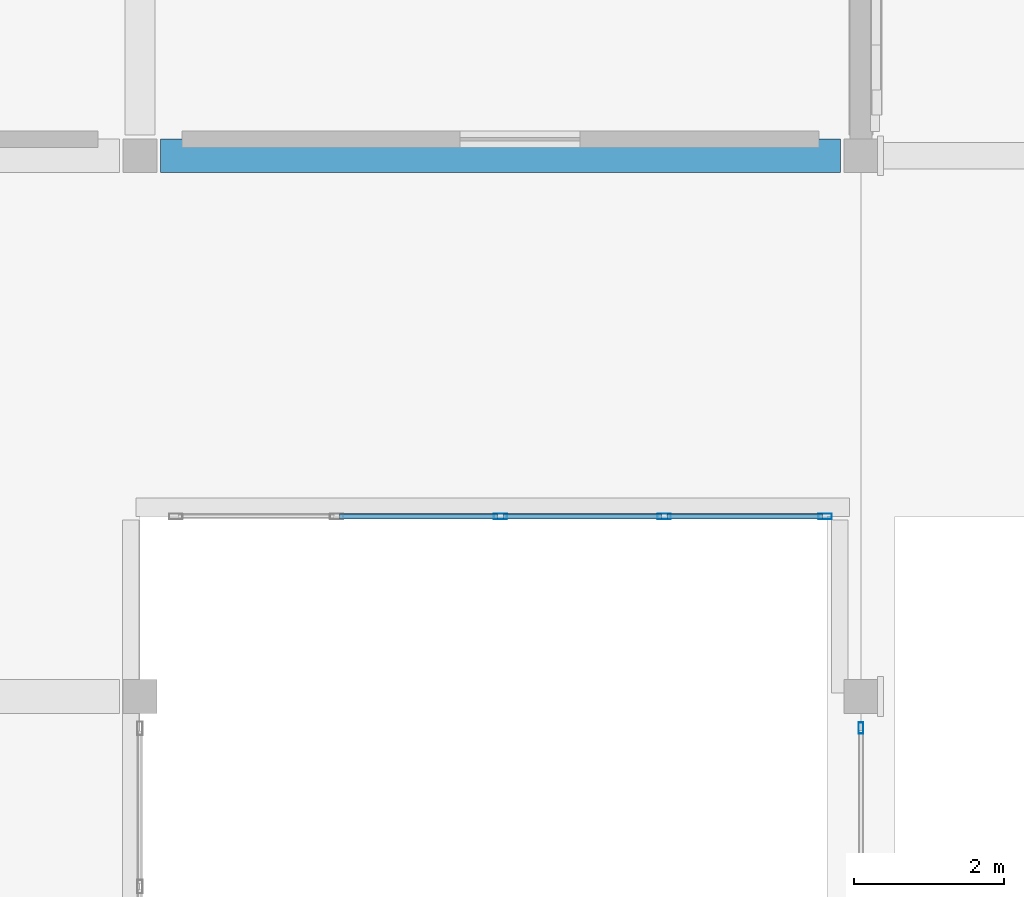
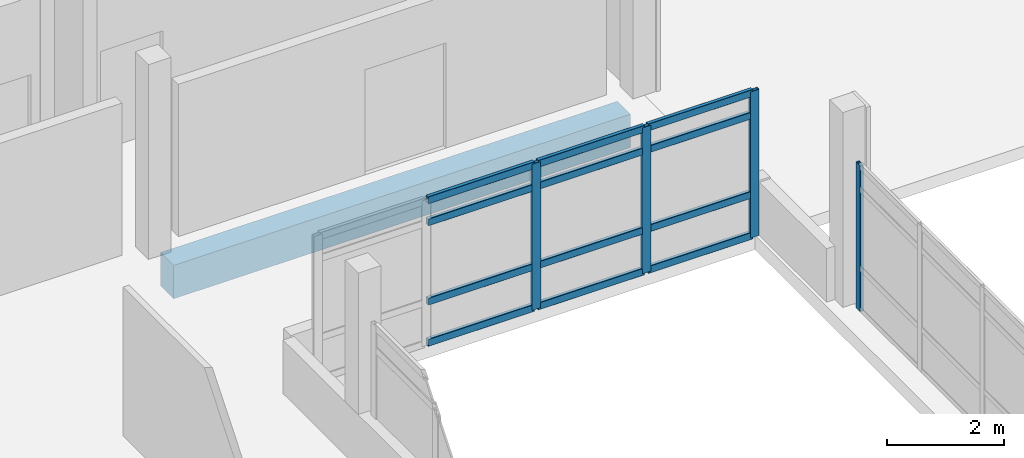
# One storey, part 25 of 50: 16 members, 1 beam, 2 elements without a shape of their own.
"""IFC4 building model written with IfcOpenShell, lengths in metres."""

from ifc_helpers import new_model, si_unit, direction, frame, origin, origin_2d, place, context, subcontext, project, spatial, rectangle, hollow_rectangle, extrude, material, layer, layer_set, material_profile, profile_set, type_object, element, aggregate, save


model = new_model("IFC4")

# Units and contexts
model_context = context("Model", 3, precision=1e-05, world=origin(), true_north=direction((0.0, 1.0)))
body_context = subcontext(model_context, "Body", "Model", "MODEL_VIEW")
ifc_project = project(units=[si_unit("LENGTHUNIT", "METRE"), si_unit("AREAUNIT", "SQUARE_METRE"), si_unit("VOLUMEUNIT", "CUBIC_METRE"), si_unit("PLANEANGLEUNIT", "RADIAN"), si_unit("MASSUNIT", "GRAM", prefix="KILO")], contexts=[model_context])

# Site, building, storey
site_placement = place(None, origin())
site = spatial("IfcSite", under=ifc_project, at=site_placement, CompositionType="ELEMENT")
building_placement = place(site_placement, origin())
building = spatial("IfcBuilding", under=site, at=building_placement, Name="Asteropetra Specialist Clinic", CompositionType="ELEMENT")
storey_placement = place(building_placement, frame((0.0, 0.0, 16.659912109375)))
storey = spatial("IfcBuildingStorey", under=building, at=storey_placement, Name="L04", CompositionType="ELEMENT", Elevation=16.659912109375)

# Beam
ifc_material_1 = material(Name="Concrete C35/45", Category="concrete")
ifc_material_profile_1 = material_profile(ifc_material_1, rectangle(XDim=0.449951171875, YDim=0.699951171875, at=origin_2d()), Name="RCB 450x700")
ifc_profile_set_1 = profile_set([ifc_material_profile_1], Name="Concrete C35/45")
beam_type = type_object("IfcBeamType", Name="BM-RC450x700", PredefinedType="BEAM", material=ifc_profile_set_1)
beam_placement = place(storey_placement, frame((125.074951171875, 40.800048828125, -0.64990234375), z_axis=(1.0, 0.0, 0.0), x_axis=(0.0, 1.0, 0.0)))
element("IfcBeam", 1, at=beam_placement, inside=storey, type_object=beam_type, Name="Beam BBM05-1721", PredefinedType="BEAM", context=body_context, shape_type="SweptSolid", body=[
    extrude(rectangle(XDim=0.449951171875, YDim=0.699951171875, at=origin_2d()), origin(), (0.0, 0.0, 1.0), 9.050048828125),
])

# Curtain wall, member
ifc_material_2 = material(Name="Aluminium and low-E glass", Category="aluminium")
ifc_layer_1 = layer(ifc_material_2, 0.135009765625)
ifc_layer_set_1 = layer_set([ifc_layer_1], Name="Aluminium and low-E glass")
curtain_wall_type_1 = type_object("IfcCurtainWallType", Name="CW-SYS-12", PredefinedType="USERDEFINED", material=ifc_layer_set_1)
curtain_wall_1_placement = place(storey_placement, origin())
curtain_wall_1 = element("IfcCurtainWall", 2, at=curtain_wall_1_placement, inside=storey, type_object=curtain_wall_type_1, Name="Curtain Wall CW-094", ObjectType="STICK GLAZED COLONNADE", PredefinedType="USERDEFINED")
ifc_material_3 = material(Name="Aluminium 6063-T6", Category="aluminium")
ifc_material_profile_2 = material_profile(ifc_material_3, hollow_rectangle(XDim=0.06494140625, YDim=0.14990234375, WallThickness=0.00390625, InnerFilletRadius=0.00390625, OuterFilletRadius=0.008056640625, at=origin_2d()), Name="MUL 150x65x4.0")
ifc_profile_set_2 = profile_set([ifc_material_profile_2], Name="Aluminium 6063-T6")
member_type_1 = type_object("IfcMemberType", Name="CWM-150x65", PredefinedType="MULLION", material=ifc_profile_set_2)
member_1_placement = place(storey_placement, frame((134.39990234375, 33.1826171875, 0.0), z_axis=(0.0, 0.0, 1.0), x_axis=(-1.0, 0.0, 0.0)))
member_1 = element("IfcMember", 3, at=member_1_placement, type_object=member_type_1, Name="CW-094 mullion 4", PredefinedType="MULLION", context=body_context, shape_type="SweptSolid", body=[
    extrude(hollow_rectangle(XDim=0.06494140625, YDim=0.14990234375, WallThickness=0.00390625, InnerFilletRadius=0.00390625, OuterFilletRadius=0.008056640625, at=origin_2d()), origin(), (0.0, 0.0, 1.0), 3.06005859375),
])
aggregate(curtain_wall_1, [member_1])

# Curtain wall, members
ifc_material_4 = material(Name="Aluminium and low-E glass", Category="aluminium")
ifc_layer_2 = layer(ifc_material_4, 0.135009765625)
ifc_layer_set_2 = layer_set([ifc_layer_2], Name="Aluminium and low-E glass")
curtain_wall_type_2 = type_object("IfcCurtainWallType", Name="CW-SYS-09", PredefinedType="USERDEFINED", material=ifc_layer_set_2)
curtain_wall_2_placement = place(storey_placement, origin())
curtain_wall_2 = element("IfcCurtainWall", 4, at=curtain_wall_2_placement, inside=storey, type_object=curtain_wall_type_2, Name="Curtain Wall CW-090", ObjectType="STICK GLAZED COLONNADE", PredefinedType="USERDEFINED")
ifc_material_5 = material(Name="Aluminium 6063-T6", Category="aluminium")
ifc_material_profile_3 = material_profile(ifc_material_5, hollow_rectangle(XDim=0.074951171875, YDim=0.179931640625, WallThickness=0.00390625, InnerFilletRadius=0.00390625, OuterFilletRadius=0.008056640625, at=origin_2d()), Name="MUL 180x75x4.0")
ifc_profile_set_3 = profile_set([ifc_material_profile_3], Name="Aluminium 6063-T6")
member_type_2 = type_object("IfcMemberType", Name="CWM-180x75", PredefinedType="MULLION", material=ifc_profile_set_3)
member_2_placement = place(storey_placement, frame((133.922607421875, 36.0, 0.0), z_axis=(0.0, 0.0, 1.0), x_axis=(0.0, -1.0, 0.0)))
member_2 = element("IfcMember", 5, at=member_2_placement, type_object=member_type_2, Name="CW-090 mullion 1", PredefinedType="MULLION", context=body_context, shape_type="SweptSolid", body=[
    extrude(hollow_rectangle(XDim=0.074951171875, YDim=0.179931640625, WallThickness=0.00390625, InnerFilletRadius=0.00390625, OuterFilletRadius=0.008056640625, at=origin_2d()), origin(), (0.0, 0.0, 1.0), 3.06005859375),
])
member_3_placement = place(storey_placement, frame((131.780029296875, 36.0, 0.0), z_axis=(0.0, 0.0, 1.0), x_axis=(0.0, -1.0, 0.0)))
member_3 = element("IfcMember", 6, at=member_3_placement, type_object=member_type_2, Name="CW-090 mullion 2", PredefinedType="MULLION", context=body_context, shape_type="SweptSolid", body=[
    extrude(hollow_rectangle(XDim=0.074951171875, YDim=0.179931640625, WallThickness=0.00390625, InnerFilletRadius=0.00390625, OuterFilletRadius=0.008056640625, at=origin_2d()), origin(), (0.0, 0.0, 1.0), 3.06005859375),
])
member_4_placement = place(storey_placement, frame((129.60009765625, 36.0, 0.0), z_axis=(0.0, 0.0, 1.0), x_axis=(0.0, -1.0, 0.0)))
member_4 = element("IfcMember", 7, at=member_4_placement, type_object=member_type_2, Name="CW-090 mullion 3", PredefinedType="MULLION", context=body_context, shape_type="SweptSolid", body=[
    extrude(hollow_rectangle(XDim=0.074951171875, YDim=0.179931640625, WallThickness=0.00390625, InnerFilletRadius=0.00390625, OuterFilletRadius=0.008056640625, at=origin_2d()), origin(), (0.0, 0.0, 1.0), 3.06005859375),
])
ifc_material_6 = material(Name="Aluminium 6063-T6", Category="aluminium")
ifc_material_profile_4 = material_profile(ifc_material_6, hollow_rectangle(XDim=0.074951171875, YDim=0.14990234375, WallThickness=0.00390625, InnerFilletRadius=0.00390625, OuterFilletRadius=0.008056640625, at=origin_2d()), Name="TRN 150x75x4.0")
ifc_profile_set_4 = profile_set([ifc_material_profile_4], Name="Aluminium 6063-T6")
member_type_3 = type_object("IfcMemberType", Name="CWT-150x75", PredefinedType="USERDEFINED", material=ifc_profile_set_4)
member_5_placement = place(storey_placement, frame((133.885009765625, 36.0, 0.03759765625), z_axis=(-1.0, 0.0, 0.0), x_axis=(0.0, -1.0, 0.0)))
member_5 = element("IfcMember", 8, at=member_5_placement, type_object=member_type_3, Name="CW-090 transom 1.1", ObjectType="TRANSOM", PredefinedType="USERDEFINED", context=body_context, shape_type="SweptSolid", body=[
    extrude(hollow_rectangle(XDim=0.074951171875, YDim=0.14990234375, WallThickness=0.00390625, InnerFilletRadius=0.00390625, OuterFilletRadius=0.008056640625, at=origin_2d()), origin(), (0.0, 0.0, 1.0), 2.067626953125),
])
member_6_placement = place(storey_placement, frame((133.885009765625, 36.0, 0.900146484375), z_axis=(-1.0, 0.0, 0.0), x_axis=(0.0, -1.0, 0.0)))
member_6 = element("IfcMember", 9, at=member_6_placement, type_object=member_type_3, Name="CW-090 transom 1.2", ObjectType="TRANSOM", PredefinedType="USERDEFINED", context=body_context, shape_type="SweptSolid", body=[
    extrude(hollow_rectangle(XDim=0.074951171875, YDim=0.14990234375, WallThickness=0.00390625, InnerFilletRadius=0.00390625, OuterFilletRadius=0.008056640625, at=origin_2d()), origin(), (0.0, 0.0, 1.0), 2.067626953125),
])
member_7_placement = place(storey_placement, frame((133.885009765625, 36.0, 2.56005859375), z_axis=(-1.0, 0.0, 0.0), x_axis=(0.0, -1.0, 0.0)))
member_7 = element("IfcMember", 10, at=member_7_placement, type_object=member_type_3, Name="CW-090 transom 1.3", ObjectType="TRANSOM", PredefinedType="USERDEFINED", context=body_context, shape_type="SweptSolid", body=[
    extrude(hollow_rectangle(XDim=0.074951171875, YDim=0.14990234375, WallThickness=0.00390625, InnerFilletRadius=0.00390625, OuterFilletRadius=0.008056640625, at=origin_2d()), origin(), (0.0, 0.0, 1.0), 2.067626953125),
])
member_8_placement = place(storey_placement, frame((133.885009765625, 36.0, 3.022705078125), z_axis=(-1.0, 0.0, 0.0), x_axis=(0.0, -1.0, 0.0)))
member_8 = element("IfcMember", 11, at=member_8_placement, type_object=member_type_3, Name="CW-090 transom 1.4", ObjectType="TRANSOM", PredefinedType="USERDEFINED", context=body_context, shape_type="SweptSolid", body=[
    extrude(hollow_rectangle(XDim=0.074951171875, YDim=0.14990234375, WallThickness=0.00390625, InnerFilletRadius=0.00390625, OuterFilletRadius=0.008056640625, at=origin_2d()), origin(), (0.0, 0.0, 1.0), 2.067626953125),
])
member_9_placement = place(storey_placement, frame((131.742431640625, 36.0, 0.03759765625), z_axis=(-1.0, 0.0, 0.0), x_axis=(0.0, -1.0, 0.0)))
member_9 = element("IfcMember", 12, at=member_9_placement, type_object=member_type_3, Name="CW-090 transom 2.1", ObjectType="TRANSOM", PredefinedType="USERDEFINED", context=body_context, shape_type="SweptSolid", body=[
    extrude(hollow_rectangle(XDim=0.074951171875, YDim=0.14990234375, WallThickness=0.00390625, InnerFilletRadius=0.00390625, OuterFilletRadius=0.008056640625, at=origin_2d()), origin(), (0.0, 0.0, 1.0), 2.10498046875),
])
member_10_placement = place(storey_placement, frame((131.742431640625, 36.0, 0.900146484375), z_axis=(-1.0, 0.0, 0.0), x_axis=(0.0, -1.0, 0.0)))
member_10 = element("IfcMember", 13, at=member_10_placement, type_object=member_type_3, Name="CW-090 transom 2.2", ObjectType="TRANSOM", PredefinedType="USERDEFINED", context=body_context, shape_type="SweptSolid", body=[
    extrude(hollow_rectangle(XDim=0.074951171875, YDim=0.14990234375, WallThickness=0.00390625, InnerFilletRadius=0.00390625, OuterFilletRadius=0.008056640625, at=origin_2d()), origin(), (0.0, 0.0, 1.0), 2.10498046875),
])
member_11_placement = place(storey_placement, frame((131.742431640625, 36.0, 2.56005859375), z_axis=(-1.0, 0.0, 0.0), x_axis=(0.0, -1.0, 0.0)))
member_11 = element("IfcMember", 14, at=member_11_placement, type_object=member_type_3, Name="CW-090 transom 2.3", ObjectType="TRANSOM", PredefinedType="USERDEFINED", context=body_context, shape_type="SweptSolid", body=[
    extrude(hollow_rectangle(XDim=0.074951171875, YDim=0.14990234375, WallThickness=0.00390625, InnerFilletRadius=0.00390625, OuterFilletRadius=0.008056640625, at=origin_2d()), origin(), (0.0, 0.0, 1.0), 2.10498046875),
])
member_12_placement = place(storey_placement, frame((131.742431640625, 36.0, 3.022705078125), z_axis=(-1.0, 0.0, 0.0), x_axis=(0.0, -1.0, 0.0)))
member_12 = element("IfcMember", 15, at=member_12_placement, type_object=member_type_3, Name="CW-090 transom 2.4", ObjectType="TRANSOM", PredefinedType="USERDEFINED", context=body_context, shape_type="SweptSolid", body=[
    extrude(hollow_rectangle(XDim=0.074951171875, YDim=0.14990234375, WallThickness=0.00390625, InnerFilletRadius=0.00390625, OuterFilletRadius=0.008056640625, at=origin_2d()), origin(), (0.0, 0.0, 1.0), 2.10498046875),
])
member_13_placement = place(storey_placement, frame((129.5625, 36.0, 0.03759765625), z_axis=(-1.0, 0.0, 0.0), x_axis=(0.0, -1.0, 0.0)))
member_13 = element("IfcMember", 16, at=member_13_placement, type_object=member_type_3, Name="CW-090 transom 3.1", ObjectType="TRANSOM", PredefinedType="USERDEFINED", context=body_context, shape_type="SweptSolid", body=[
    extrude(hollow_rectangle(XDim=0.074951171875, YDim=0.14990234375, WallThickness=0.00390625, InnerFilletRadius=0.00390625, OuterFilletRadius=0.008056640625, at=origin_2d()), origin(), (0.0, 0.0, 1.0), 2.10498046875),
])
member_14_placement = place(storey_placement, frame((129.5625, 36.0, 0.900146484375), z_axis=(-1.0, 0.0, 0.0), x_axis=(0.0, -1.0, 0.0)))
member_14 = element("IfcMember", 17, at=member_14_placement, type_object=member_type_3, Name="CW-090 transom 3.2", ObjectType="TRANSOM", PredefinedType="USERDEFINED", context=body_context, shape_type="SweptSolid", body=[
    extrude(hollow_rectangle(XDim=0.074951171875, YDim=0.14990234375, WallThickness=0.00390625, InnerFilletRadius=0.00390625, OuterFilletRadius=0.008056640625, at=origin_2d()), origin(), (0.0, 0.0, 1.0), 2.10498046875),
])
member_15_placement = place(storey_placement, frame((129.5625, 36.0, 2.56005859375), z_axis=(-1.0, 0.0, 0.0), x_axis=(0.0, -1.0, 0.0)))
member_15 = element("IfcMember", 18, at=member_15_placement, type_object=member_type_3, Name="CW-090 transom 3.3", ObjectType="TRANSOM", PredefinedType="USERDEFINED", context=body_context, shape_type="SweptSolid", body=[
    extrude(hollow_rectangle(XDim=0.074951171875, YDim=0.14990234375, WallThickness=0.00390625, InnerFilletRadius=0.00390625, OuterFilletRadius=0.008056640625, at=origin_2d()), origin(), (0.0, 0.0, 1.0), 2.10498046875),
])
member_16_placement = place(storey_placement, frame((129.5625, 36.0, 3.022705078125), z_axis=(-1.0, 0.0, 0.0), x_axis=(0.0, -1.0, 0.0)))
member_16 = element("IfcMember", 19, at=member_16_placement, type_object=member_type_3, Name="CW-090 transom 3.4", ObjectType="TRANSOM", PredefinedType="USERDEFINED", context=body_context, shape_type="SweptSolid", body=[
    extrude(hollow_rectangle(XDim=0.074951171875, YDim=0.14990234375, WallThickness=0.00390625, InnerFilletRadius=0.00390625, OuterFilletRadius=0.008056640625, at=origin_2d()), origin(), (0.0, 0.0, 1.0), 2.10498046875),
])
aggregate(curtain_wall_2, [member_2, member_3, member_4, member_5, member_6, member_7, member_8, member_9, member_10, member_11, member_12, member_13, member_14, member_15, member_16])

save(model, "model.ifc")
